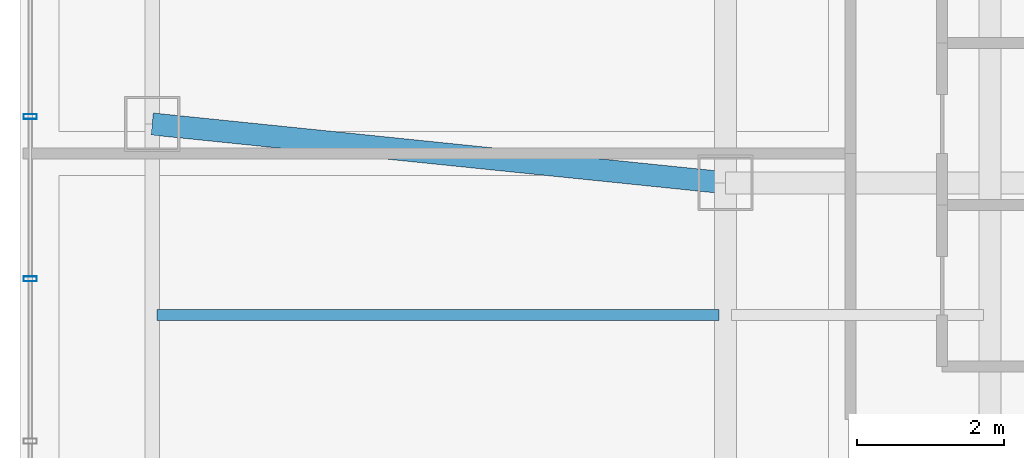
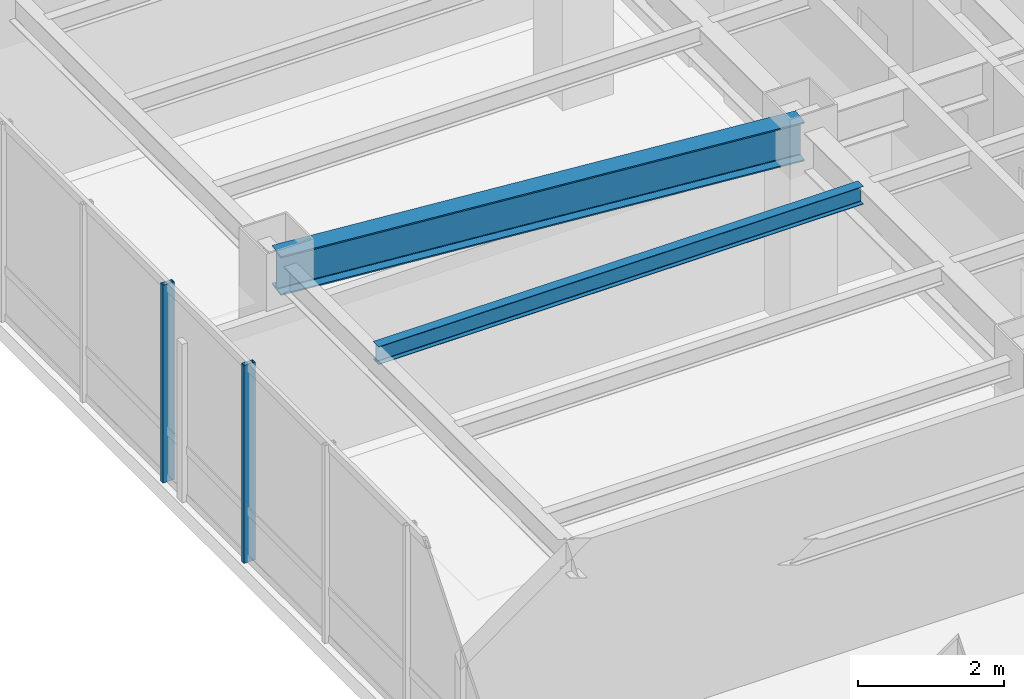
# One storey, part 9 of 29: 2 beams, 2 members, 1 element without a shape of its own.
"""IFC4 building model written with IfcOpenShell, lengths in metres."""

from ifc_helpers import new_model, si_unit, direction, frame, origin, origin_2d, place, context, subcontext, project, spatial, hollow_rectangle, i_section, extrude, material, layer, layer_set, material_profile, profile_set, type_object, element, aggregate, save


model = new_model("IFC4")

# Units and contexts
model_context = context("Model", 3, precision=1e-05, world=origin(), true_north=direction((0.0, 1.0)))
body_context = subcontext(model_context, "Body", "Model", "MODEL_VIEW")
ifc_project = project(units=[si_unit("LENGTHUNIT", "METRE"), si_unit("AREAUNIT", "SQUARE_METRE"), si_unit("VOLUMEUNIT", "CUBIC_METRE"), si_unit("PLANEANGLEUNIT", "RADIAN"), si_unit("MASSUNIT", "GRAM", prefix="KILO")], contexts=[model_context])

# Site, building, storey
site_placement = place(None, origin())
site = spatial("IfcSite", under=ifc_project, at=site_placement, CompositionType="ELEMENT")
building_placement = place(site_placement, origin())
building = spatial("IfcBuilding", under=site, at=building_placement, Name="Hatsunagi Terrace Concourse", CompositionType="ELEMENT")
storey_placement = place(building_placement, frame((0.0, 0.0, 178.050048828125)))
storey = spatial("IfcBuildingStorey", under=building, at=storey_placement, Name="L47", CompositionType="ELEMENT", Elevation=178.050048828125)

# Curtain wall, members
ifc_material_1 = material(Name="Anodised Aluminium Alloy 6063-T5", Category="aluminium")
ifc_layer = layer(ifc_material_1, 0.199951171875)
ifc_layer_set = layer_set([ifc_layer], Name="OfficeZone1_CW03")
curtain_wall_type = type_object("IfcCurtainWallType", Name="OfficeZone1_CW03", PredefinedType="NOTDEFINED", material=ifc_layer_set)
curtain_wall_placement = place(storey_placement, origin())
curtain_wall = element("IfcCurtainWall", 1, at=curtain_wall_placement, inside=storey, type_object=curtain_wall_type, Name="Unitised Curtain Wall CW-03 CW-L47-09", PredefinedType="NOTDEFINED")
ifc_material_2 = material(Name="Anodised Aluminium Alloy 6063-T5", Category="aluminium")
ifc_material_profile_1 = material_profile(ifc_material_2, hollow_rectangle(XDim=0.070068359375, YDim=0.179931640625, WallThickness=0.00390625, at=origin_2d()), Name="ALU-MUL-180x70x4")
ifc_profile_set_1 = profile_set([ifc_material_profile_1], Name="Anodised Aluminium Alloy 6063-T5")
member_type = type_object("IfcMemberType", Name="CurtainWallMullion_180x70", PredefinedType="MULLION", material=ifc_profile_set_1)
member_1_placement = place(storey_placement, frame((9.739990234375, 34.69189453125, 0.0), z_axis=(0.0, 0.0, 1.0), x_axis=(0.0, 1.0, 0.0)))
member_1 = element("IfcMember", 2, at=member_1_placement, type_object=member_type, Name="Curtain Wall Mullion MUL-02", PredefinedType="MULLION", context=body_context, shape_type="SweptSolid", body=[
    extrude(hollow_rectangle(XDim=0.070068359375, YDim=0.179931640625, WallThickness=0.00390625, at=origin_2d()), origin(), (0.0, 0.0, 1.0), 3.300048828125),
])
member_2_placement = place(storey_placement, frame((9.739990234375, 36.89990234375, 0.0), z_axis=(0.0, 0.0, 1.0), x_axis=(0.0, 1.0, 0.0)))
member_2 = element("IfcMember", 3, at=member_2_placement, type_object=member_type, Name="Curtain Wall Mullion MUL-02", PredefinedType="MULLION", context=body_context, shape_type="SweptSolid", body=[
    extrude(hollow_rectangle(XDim=0.070068359375, YDim=0.179931640625, WallThickness=0.00390625, at=origin_2d()), origin(), (0.0, 0.0, 1.0), 3.300048828125),
])
aggregate(curtain_wall, [member_1, member_2])

# Beams
ifc_material_3 = material(Name="Steel SN490B", Category="steel")
ifc_material_profile_2 = material_profile(ifc_material_3, i_section(OverallWidth=0.14990234375, OverallDepth=0.300048828125, WebThickness=0.006591796875, FlangeThickness=0.009033203125, FilletRadius=0.010986328125, at=origin_2d()), Name="H-300x150x6.5x9")
ifc_profile_set_2 = profile_set([ifc_material_profile_2], Name="Steel SN490B")
beam_type_1 = type_object("IfcBeamType", Name="OfficeJoist_H_300x150", PredefinedType="JOIST", material=ifc_profile_set_2)
beam_1_placement = place(storey_placement, frame((11.465087890625, 34.199951171875, 3.14990234375), z_axis=(1.0, 0.0, 0.0), x_axis=(0.0, 1.0, 0.0)))
element("IfcBeam", 4, at=beam_1_placement, inside=storey, type_object=beam_type_1, Name="Beam J-03 J-L47-W-11-342", PredefinedType="JOIST", context=body_context, shape_type="SweptSolid", body=[
    extrude(i_section(OverallWidth=0.14990234375, OverallDepth=0.300048828125, WebThickness=0.006591796875, FlangeThickness=0.009033203125, FilletRadius=0.010986328125, at=origin_2d()), origin(), (0.0, 0.0, 1.0), 7.64990234375),
])
ifc_material_4 = material(Name="Steel SN490B", Category="steel")
ifc_material_profile_3 = material_profile(ifc_material_4, i_section(OverallWidth=0.300048828125, OverallDepth=0.64990234375, WebThickness=0.012939453125, FlangeThickness=0.02197265625, FilletRadius=0.01806640625, at=origin_2d()), Name="H-650x300x13x22")
ifc_profile_set_3 = profile_set([ifc_material_profile_3], Name="Steel SN490B")
beam_type_2 = type_object("IfcBeamType", Name="OfficeLowGirder_H_650x300", PredefinedType="BEAM", material=ifc_profile_set_3)
beam_2_placement = place(storey_placement, frame((11.39990234375, 36.800048828125, 2.974853515625), z_axis=(0.994780871372, -0.102034395927, 0.0), x_axis=(0.102034395927, 0.994780871372, 0.0)))
element("IfcBeam", 5, at=beam_2_placement, inside=storey, type_object=beam_type_2, Name="Beam G-05 BM-L47-EW-2", PredefinedType="BEAM", context=body_context, shape_type="SweptSolid", body=[
    extrude(i_section(OverallWidth=0.300048828125, OverallDepth=0.64990234375, WebThickness=0.012939453125, FlangeThickness=0.02197265625, FilletRadius=0.01806640625, at=origin_2d()), origin(), (0.0, 0.0, 1.0), 7.841064453125),
])

save(model, "model.ifc")
